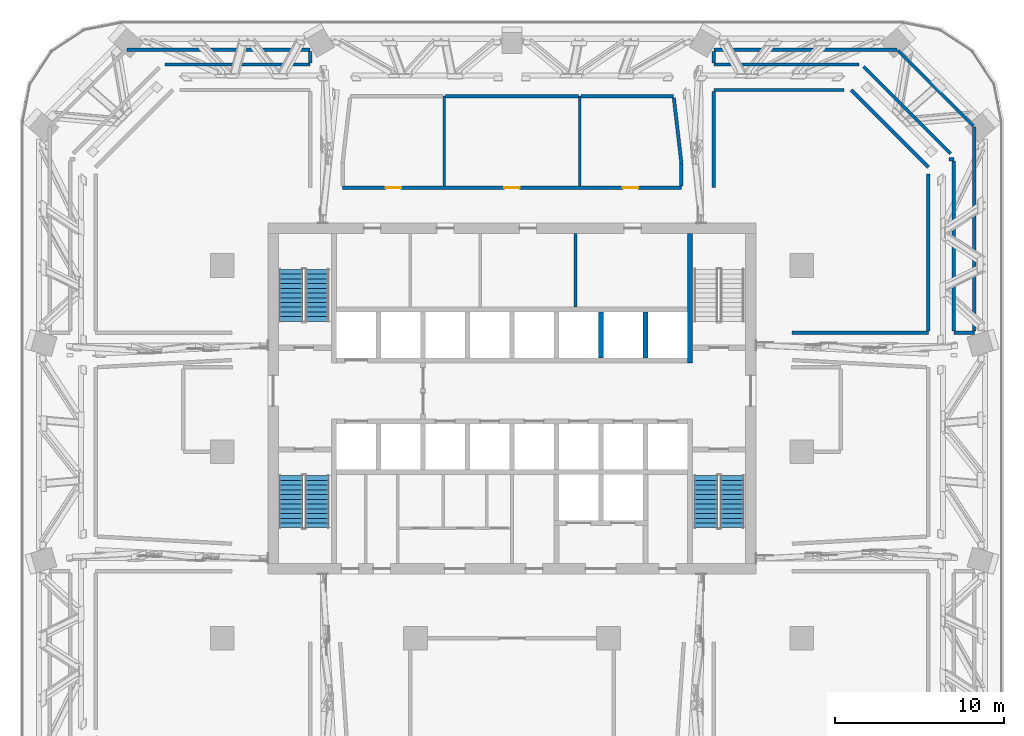
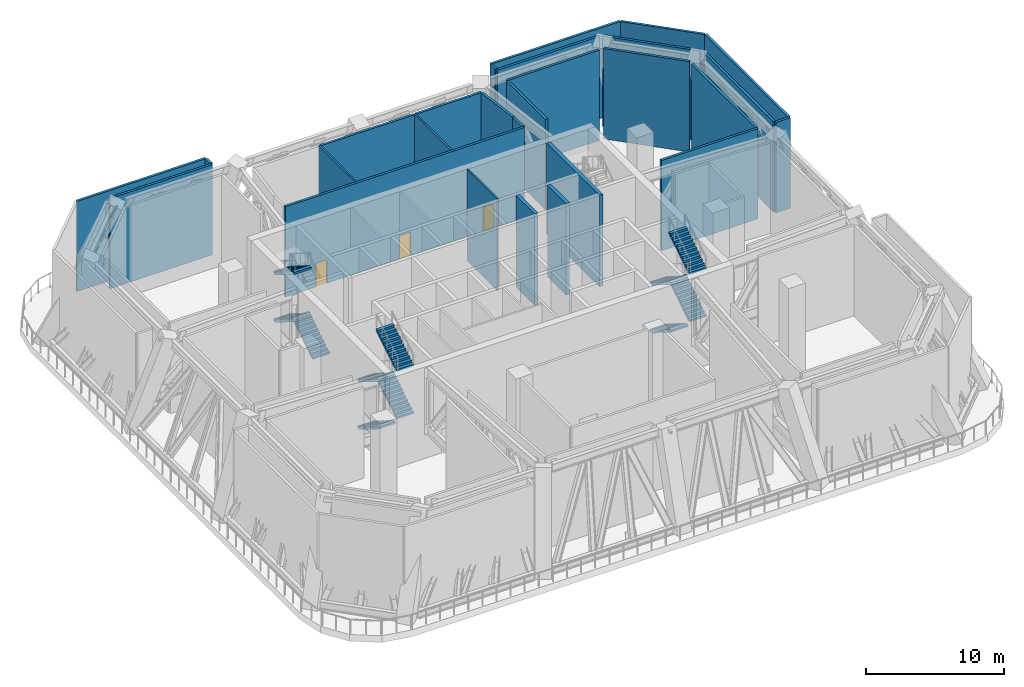
# One storey, part 8 of 24: 28 walls, 11 stair flights, 3 doors, 3 openings, 3 elements without a shape of their own.
"""IFC4 building model written with IfcOpenShell, lengths in metres."""

from ifc_helpers import new_model, si_unit, direction, frame, frame_2d, origin, place, context, subcontext, project, spatial, polyline, rectangle, outline, extrude, material, layer, layer_set, type_object, element, fill, aggregate, save


model = new_model("IFC4")

# Units and contexts
model_context = context("Model", 3, precision=1e-05, world=origin(), true_north=direction((0.0, 1.0)))
body_context = subcontext(model_context, "Body", "Model", "MODEL_VIEW")
ifc_project = project(units=[si_unit("LENGTHUNIT", "METRE"), si_unit("AREAUNIT", "SQUARE_METRE"), si_unit("VOLUMEUNIT", "CUBIC_METRE"), si_unit("PLANEANGLEUNIT", "RADIAN"), si_unit("MASSUNIT", "GRAM", prefix="KILO")], contexts=[model_context])

# Site, building, storey
site_placement = place(None, origin())
site = spatial("IfcSite", under=ifc_project, at=site_placement, CompositionType="ELEMENT")
building_placement = place(site_placement, origin())
building = spatial("IfcBuilding", under=site, at=building_placement, Name="Mopane Tessera Tower", CompositionType="ELEMENT")
storey_placement = place(building_placement, frame((0.0, 0.0, 148.60009765625)))
storey = spatial("IfcBuildingStorey", under=building, at=storey_placement, Name="L30", CompositionType="ELEMENT", Elevation=148.60009765625)

# Walls
ifc_material_1 = material(Name="Fire-rated gypsum board partition")
ifc_layer_1 = layer(ifc_material_1, 0.14990234375)
ifc_layer_set_1 = layer_set([ifc_layer_1], Name="Fire-rated gypsum board partition")
wall_type_1 = type_object("IfcWallType", Name="Core room partition 150 mm", PredefinedType="PARTITIONING", material=ifc_layer_set_1)
wall_1_placement = place(storey_placement, frame((3.75, 8.550048828125, 0.0), z_axis=(0.0, 0.0, 1.0), x_axis=(0.0, 1.0, 0.0)))
element("IfcWall", 1, at=wall_1_placement, inside=storey, type_object=wall_type_1, Name="L30 Room partition", PredefinedType="PARTITIONING", context=body_context, shape_type="SweptSolid", body=[
    extrude(rectangle(XDim=4.349853515625, YDim=0.14990234375, at=frame_2d((2.1748046875, 0.0))), origin(), (0.0, 0.0, 1.0), 8.099853515625),
])
ifc_material_2 = material(Name="Concrete C60/75", Category="concrete")
ifc_layer_2 = layer(ifc_material_2, 0.300048828125)
ifc_layer_set_2 = layer_set([ifc_layer_2], Name="Concrete C60/75")
wall_type_2 = type_object("IfcWallType", Name="Core spine wall 300 mm", PredefinedType="SHEAR", material=ifc_layer_set_2)
wall_2_placement = place(storey_placement, frame((10.5, 5.25, 0.0), z_axis=(0.0, 0.0, 1.0), x_axis=(0.0, 1.0, 0.0)))
element("IfcWall", 2, at=wall_2_placement, inside=storey, type_object=wall_type_2, Name="L30 Core spine wall", PredefinedType="SHEAR", context=body_context, shape_type="SweptSolid", body=[
    extrude(rectangle(XDim=7.64990234375, YDim=0.300048828125, at=frame_2d((3.824951171875, 0.0))), origin(), (0.0, 0.0, 1.0), 8.099853515625),
])
ifc_material_3 = material(Name="Gypsum board on steel studs, two layers each face, mineral wool infill", Category="steel")
ifc_layer_3 = layer(ifc_material_3, 0.199951171875)
ifc_layer_set_3 = layer_set([ifc_layer_3], Name="Gypsum board on steel studs, two layers each face, mineral wool infill")
wall_type_3 = type_object("IfcWallType", Name="Gypsum board corridor wall 200, rated EI 60", PredefinedType="PARTITIONING", material=ifc_layer_set_3)
wall_3_placement = place(storey_placement, frame((16.52001953125, 7.0400390625, 0.0), z_axis=(0.0, 0.0, 1.0), x_axis=(1.0, 0.0, 0.0)))
element("IfcWall", 3, at=wall_3_placement, inside=storey, type_object=wall_type_3, Name="Partition L30:022", PredefinedType="PARTITIONING", context=body_context, shape_type="SweptSolid", body=[
    extrude(rectangle(XDim=8.06494140625, YDim=0.199951171875, at=frame_2d((4.032470703125, 0.0))), origin(), (0.0, 0.0, 1.0), 8.0),
])
wall_4_placement = place(storey_placement, frame((26.0849609375, 7.0400390625, 0.0), z_axis=(0.0, 0.0, 1.0), x_axis=(1.0, 0.0, 0.0)))
element("IfcWall", 4, at=wall_4_placement, inside=storey, type_object=wall_type_3, Name="Partition L30:023", PredefinedType="PARTITIONING", context=body_context, shape_type="SweptSolid", body=[
    extrude(rectangle(XDim=1.215087890625, YDim=0.199951171875, at=frame_2d((0.607421875, 0.0))), origin(), (0.0, 0.0, 1.0), 8.0),
])

# Wall, openings, doors
wall_5_placement = place(storey_placement, frame((-10.0, 15.60009765625, 0.0), z_axis=(0.0, 0.0, 1.0), x_axis=(1.0, 0.0, 0.0)))
wall_5 = element("IfcWall", 5, at=wall_5_placement, inside=storey, type_object=wall_type_3, Name="Partition L30:024", PredefinedType="PARTITIONING", context=body_context, shape_type="SweptSolid", body=[
    extrude(rectangle(XDim=20.0, YDim=0.199951171875, at=frame_2d((10.0, 0.0))), origin(), (0.0, 0.0, 1.0), 8.0),
])
opening_1_placement = place(wall_5_placement, frame((9.550048828125, 0.0, 0.0)))
opening_1 = element("IfcOpeningElement", 6, at=opening_1_placement, cuts=wall_5, Name="Opening L30-01", PredefinedType="OPENING", context=body_context, shape_type="SweptSolid", body=[
    extrude(rectangle(XDim=0.89990234375, YDim=2.10009765625, at=frame_2d((0.449951171875, 1.050048828125))), frame((0.0, 0.112060546875, 0.0), z_axis=(0.0, -1.0, 0.0), x_axis=(1.0, 0.0, 0.0)), (0.0, 0.0, 1.0), 0.223876953125),
])
opening_2_placement = place(wall_5_placement, frame((2.550048828125, 0.0, 0.0)))
opening_2 = element("IfcOpeningElement", 7, at=opening_2_placement, cuts=wall_5, Name="Opening L30-03", PredefinedType="OPENING", context=body_context, shape_type="SweptSolid", body=[
    extrude(rectangle(XDim=0.89990234375, YDim=2.10009765625, at=frame_2d((0.449951171875, 1.050048828125))), frame((0.0, 0.112060546875, 0.0), z_axis=(0.0, -1.0, 0.0), x_axis=(1.0, 0.0, 0.0)), (0.0, 0.0, 1.0), 0.223876953125),
])
opening_3_placement = place(wall_5_placement, frame((16.550048828125, 0.0, 0.0)))
opening_3 = element("IfcOpeningElement", 8, at=opening_3_placement, cuts=wall_5, Name="Opening L30-04", PredefinedType="OPENING", context=body_context, shape_type="SweptSolid", body=[
    extrude(rectangle(XDim=0.89990234375, YDim=2.10009765625, at=frame_2d((0.449951171875, 1.050048828125))), frame((0.0, 0.112060546875, 0.0), z_axis=(0.0, -1.0, 0.0), x_axis=(1.0, 0.0, 0.0)), (0.0, 0.0, 1.0), 0.223876953125),
])
ifc_material_4 = material(Name="Timber veneered steel-framed fire door", Category="steel")
door_type = type_object("IfcDoorType", Name="Fire door FD60 900 x 2100", OperationType="SINGLE_SWING_LEFT", PredefinedType="DOOR", material=ifc_material_4)
door_1_placement = place(opening_1_placement, origin())
door_1 = element("IfcDoor", 9, at=door_1_placement, inside=storey, type_object=door_type, Name="Door L30-01", ObjectType="D10A", OperationType="SINGLE_SWING_RIGHT", OverallHeight=2.10009765625, OverallWidth=0.89990234375, PredefinedType="DOOR", context=body_context, shape_type="SweptSolid", body=[
    extrude(rectangle(XDim=0.89990234375, YDim=2.10009765625, at=frame_2d((0.449951171875, 1.050048828125))), frame((0.0, 0.02490234375, 0.0), z_axis=(0.0, -1.0, 0.0), x_axis=(1.0, 0.0, 0.0)), (0.0, 0.0, 1.0), 0.050048828125),
])
fill(opening_1, door_1)
door_2_placement = place(opening_2_placement, origin())
door_2 = element("IfcDoor", 10, at=door_2_placement, inside=storey, type_object=door_type, Name="Door L30-03", ObjectType="D10A", OperationType="SINGLE_SWING_RIGHT", OverallHeight=2.10009765625, OverallWidth=0.89990234375, PredefinedType="DOOR", context=body_context, shape_type="SweptSolid", body=[
    extrude(rectangle(XDim=0.89990234375, YDim=2.10009765625, at=frame_2d((0.449951171875, 1.050048828125))), frame((0.0, 0.02490234375, 0.0), z_axis=(0.0, -1.0, 0.0), x_axis=(1.0, 0.0, 0.0)), (0.0, 0.0, 1.0), 0.050048828125),
])
fill(opening_2, door_2)
door_3_placement = place(opening_3_placement, origin())
door_3 = element("IfcDoor", 11, at=door_3_placement, inside=storey, type_object=door_type, Name="Door L30-04", ObjectType="D10A", OperationType="SINGLE_SWING_LEFT", OverallHeight=2.10009765625, OverallWidth=0.89990234375, PredefinedType="DOOR", context=body_context, shape_type="SweptSolid", body=[
    extrude(rectangle(XDim=0.89990234375, YDim=2.10009765625, at=frame_2d((0.449951171875, 1.050048828125))), frame((0.0, 0.02490234375, 0.0), z_axis=(0.0, -1.0, 0.0), x_axis=(1.0, 0.0, 0.0)), (0.0, 0.0, 1.0), 0.050048828125),
])
fill(opening_3, door_3)

# Walls
wall_6_placement = place(storey_placement, frame((25.800048828125, 17.27001953125, 0.0), z_axis=(0.0, 0.0, 1.0), x_axis=(1.0, 0.0, 0.0)))
element("IfcWall", 12, at=wall_6_placement, inside=storey, type_object=wall_type_3, Name="Partition L30:026", PredefinedType="PARTITIONING", context=body_context, shape_type="SweptSolid", body=[
    extrude(rectangle(XDim=0.284912109375, YDim=0.199951171875, at=frame_2d((0.142578125, 0.0))), origin(), (0.0, 0.0, 1.0), 8.0),
])
wall_7_placement = place(storey_placement, frame((-3.925048828125, 21.0, 0.0), z_axis=(0.0, 0.0, 1.0), x_axis=(1.0, 0.0, 0.0)))
element("IfcWall", 13, at=wall_7_placement, inside=storey, type_object=wall_type_3, Name="Partition L30:028", PredefinedType="PARTITIONING", context=body_context, shape_type="SweptSolid", body=[
    extrude(rectangle(XDim=7.85009765625, YDim=0.199951171875, at=frame_2d((3.925048828125, 0.0))), origin(), (0.0, 0.0, 1.0), 8.0),
])
wall_8_placement = place(storey_placement, frame((4.074951171875, 21.0, 0.0), z_axis=(0.0, 0.0, 1.0), x_axis=(1.0, 0.0, 0.0)))
element("IfcWall", 14, at=wall_8_placement, inside=storey, type_object=wall_type_3, Name="Partition L30:029", PredefinedType="PARTITIONING", context=body_context, shape_type="SweptSolid", body=[
    extrude(rectangle(XDim=5.469970703125, YDim=0.199951171875, at=frame_2d((2.73486328125, 0.0))), origin(), (0.0, 0.0, 1.0), 8.0),
])
wall_9_placement = place(storey_placement, frame((11.919921875, 21.3701171875, 0.0), z_axis=(0.0, 0.0, 1.0), x_axis=(1.0, 0.0, 0.0)))
element("IfcWall", 15, at=wall_9_placement, inside=storey, type_object=wall_type_3, Name="Partition L30:031", PredefinedType="PARTITIONING", context=body_context, shape_type="SweptSolid", body=[
    extrude(rectangle(XDim=7.68017578125, YDim=0.199951171875, at=frame_2d((3.840087890625, 0.0))), origin(), (0.0, 0.0, 1.0), 8.0),
])
for number, where, z_axis, x_axis, name in (
    (16, (-20.485107421875, 22.8701171875, 0.0), (0.0, 0.0, 1.0), (1.0, 0.0, 0.0), "Partition L30:032"),
    (17, (11.919921875, 22.8701171875, 0.0), (0.0, 0.0, 1.0), (1.0, 0.0, 0.0), "Partition L30:033"),
):
    element("IfcWall", number, at=place(storey_placement, frame(where, z_axis=z_axis, x_axis=x_axis)), inside=storey, type_object=wall_type_3, Name=name, PredefinedType="PARTITIONING", context=body_context, shape_type="SweptSolid", body=[
        extrude(rectangle(XDim=8.565185546875, YDim=0.199951171875, at=frame_2d((4.28271484375, 0.0))), origin(), (0.0, 0.0, 1.0), 8.0),
    ])
for number, where, z_axis, x_axis, name in (
    (18, (-22.739990234375, 23.75, 0.0), (0.0, 0.0, 1.0), (1.0, 0.0, 0.0), "Partition L30:034"),
    (19, (11.919921875, 23.75, 0.0), (0.0, 0.0, 1.0), (1.0, 0.0, 0.0), "Partition L30:035"),
):
    element("IfcWall", number, at=place(storey_placement, frame(where, z_axis=z_axis, x_axis=x_axis)), inside=storey, type_object=wall_type_3, Name=name, PredefinedType="PARTITIONING", context=body_context, shape_type="SweptSolid", body=[
        extrude(rectangle(XDim=10.820068359375, YDim=0.199951171875, at=frame_2d((5.41015625, 0.0))), origin(), (0.0, 0.0, 1.0), 8.0),
    ])
wall_10_placement = place(storey_placement, frame((-11.919921875, 22.969970703125, 0.0), z_axis=(0.0, 0.0, 1.0), x_axis=(0.0, 1.0, 0.0)))
element("IfcWall", 20, at=wall_10_placement, inside=storey, type_object=wall_type_3, Name="Partition L30:047", PredefinedType="PARTITIONING", context=body_context, shape_type="SweptSolid", body=[
    extrude(rectangle(XDim=0.679931640625, YDim=0.199951171875, at=frame_2d((0.33984375, 0.0))), origin(), (0.0, 0.0, 1.0), 8.0),
])
wall_11_placement = place(storey_placement, frame((10.0, 15.699951171875, 0.0), z_axis=(0.0, 0.0, 1.0), x_axis=(0.0, 1.0, 0.0)))
element("IfcWall", 21, at=wall_11_placement, inside=storey, type_object=wall_type_3, Name="Partition L30:053", PredefinedType="PARTITIONING", context=body_context, shape_type="SweptSolid", body=[
    extrude(rectangle(XDim=1.364990234375, YDim=0.199951171875, at=frame_2d((0.6826171875, 0.0))), origin(), (0.0, 0.0, 1.0), 8.0),
])
wall_12_placement = place(storey_placement, frame((11.919921875, 15.6201171875, 0.0), z_axis=(0.0, 0.0, 1.0), x_axis=(0.0, 1.0, 0.0)))
element("IfcWall", 22, at=wall_12_placement, inside=storey, type_object=wall_type_3, Name="Partition L30:056", PredefinedType="PARTITIONING", context=body_context, shape_type="SweptSolid", body=[
    extrude(rectangle(XDim=5.64990234375, YDim=0.199951171875, at=frame_2d((2.824951171875, 0.0))), origin(), (0.0, 0.0, 1.0), 8.0),
])
wall_13_placement = place(storey_placement, frame((11.919921875, 22.969970703125, 0.0), z_axis=(0.0, 0.0, 1.0), x_axis=(0.0, 1.0, 0.0)))
element("IfcWall", 23, at=wall_13_placement, inside=storey, type_object=wall_type_3, Name="Partition L30:057", PredefinedType="PARTITIONING", context=body_context, shape_type="SweptSolid", body=[
    extrude(rectangle(XDim=0.679931640625, YDim=0.199951171875, at=frame_2d((0.33984375, 0.0))), origin(), (0.0, 0.0, 1.0), 8.0),
])
wall_14_placement = place(storey_placement, frame((24.5849609375, 7.139892578125, 0.0), z_axis=(0.0, 0.0, 1.0), x_axis=(0.0, 1.0, 0.0)))
element("IfcWall", 24, at=wall_14_placement, inside=storey, type_object=wall_type_3, Name="Partition L30:061", PredefinedType="PARTITIONING", context=body_context, shape_type="SweptSolid", body=[
    extrude(rectangle(XDim=9.260009765625, YDim=0.199951171875, at=frame_2d((4.6298828125, 0.0))), origin(), (0.0, 0.0, 1.0), 8.0),
])
wall_15_placement = place(storey_placement, frame((26.0849609375, 7.139892578125, 0.0), z_axis=(0.0, 0.0, 1.0), x_axis=(0.0, 1.0, 0.0)))
element("IfcWall", 25, at=wall_15_placement, inside=storey, type_object=wall_type_3, Name="Partition L30:063", PredefinedType="PARTITIONING", context=body_context, shape_type="SweptSolid", body=[
    extrude(rectangle(XDim=10.030029296875, YDim=0.199951171875, at=frame_2d((5.01513671875, 0.0))), origin(), (0.0, 0.0, 1.0), 8.0),
])
wall_16_placement = place(storey_placement, frame((27.300048828125, 7.139892578125, 0.0), z_axis=(0.0, 0.0, 1.0), x_axis=(0.0, 1.0, 0.0)))
element("IfcWall", 26, at=wall_16_placement, inside=storey, type_object=wall_type_3, Name="Partition L30:065", PredefinedType="PARTITIONING", context=body_context, shape_type="SweptSolid", body=[
    extrude(rectangle(XDim=12.050048828125, YDim=0.199951171875, at=frame_2d((6.02490234375, 0.0))), origin(), (0.0, 0.0, 1.0), 8.0),
])
wall_17_placement = place(storey_placement, frame((25.89892578125, 17.615966796875, 0.0), z_axis=(0.0, 0.0, 1.0), x_axis=(-0.707106781187, 0.707106781187, 0.0)))
element("IfcWall", 27, at=wall_17_placement, inside=storey, type_object=wall_type_3, Name="Partition L30:079", PredefinedType="PARTITIONING", context=body_context, shape_type="SweptSolid", body=[
    extrude(rectangle(XDim=7.267578125, YDim=0.199951171875, at=frame_2d((3.6337890625, 0.0))), origin(), (0.0, 0.0, 1.0), 8.0),
])
wall_18_placement = place(storey_placement, frame((22.7890625, 23.700927734375, 0.0), z_axis=(0.0, 0.0, 1.0), x_axis=(0.707106781187, -0.707106781187, 0.0)))
element("IfcWall", 28, at=wall_18_placement, inside=storey, type_object=wall_type_3, Name="Partition L30:081", PredefinedType="PARTITIONING", context=body_context, shape_type="SweptSolid", body=[
    extrude(rectangle(XDim=6.31005859375, YDim=0.199951171875, at=frame_2d((3.155029296875, 0.0))), origin(), (0.0, 0.0, 1.0), 8.0),
])
wall_19_placement = place(storey_placement, frame((20.02490234375, 21.3701171875, 0.0), z_axis=(0.0, 0.0, 1.0), x_axis=(0.707106781187, -0.707106781187, 0.0)))
element("IfcWall", 29, at=wall_19_placement, inside=storey, type_object=wall_type_3, Name="Partition L30:089", PredefinedType="PARTITIONING", context=body_context, shape_type="SweptSolid", body=[
    extrude(rectangle(XDim=6.448974609375, YDim=0.199951171875, at=frame_2d((3.224609375, 0.0))), origin(), (0.0, 0.0, 1.0), 8.0),
])
wall_20_placement = place(storey_placement, frame((9.555908203125, 20.90087890625, 0.0), z_axis=(0.0, 0.0, 1.0), x_axis=(0.115049956494, -0.99335970701, 0.0)))
element("IfcWall", 30, at=wall_20_placement, inside=storey, type_object=wall_type_3, Name="Partition L30:093", PredefinedType="PARTITIONING", context=body_context, shape_type="SweptSolid", body=[
    extrude(rectangle(XDim=3.8515625, YDim=0.199951171875, at=frame_2d((1.92578125, 0.0))), origin(), (0.0, 0.0, 1.0), 8.0),
])
ifc_material_5 = material(Name="Gypsum board on steel studs, mineral wool infill", Category="steel")
ifc_layer_4 = layer(ifc_material_5, 0.14990234375)
ifc_layer_set_4 = layer_set([ifc_layer_4], Name="Gypsum board on steel studs, mineral wool infill")
wall_type_4 = type_object("IfcWallType", Name="Gypsum board partition 150, rated EI 60", PredefinedType="PARTITIONING", material=ifc_layer_set_4)
for number, where, z_axis, x_axis, name in (
    (31, (-4.0, 15.699951171875, 0.0), (0.0, 0.0, 1.0), (0.0, 1.0, 0.0), "Partition L30:050"),
    (32, (4.0, 15.699951171875, 0.0), (0.0, 0.0, 1.0), (0.0, 1.0, 0.0), "Partition L30:051"),
):
    element("IfcWall", number, at=place(storey_placement, frame(where, z_axis=z_axis, x_axis=x_axis)), inside=storey, type_object=wall_type_4, Name=name, PredefinedType="PARTITIONING", context=body_context, shape_type="SweptSolid", body=[
        extrude(rectangle(XDim=5.300048828125, YDim=0.14990234375, at=frame_2d((2.64990234375, 0.0))), origin(), (0.0, 0.0, 1.0), 8.0),
    ])
ifc_material_6 = material(Name="Concrete C50/60", Category="concrete")
ifc_layer_5 = layer(ifc_material_6, 0.300048828125)
ifc_layer_set_5 = layer_set([ifc_layer_5], Name="Concrete C50/60")
wall_type_5 = type_object("IfcWallType", Name="Lift and stair shaft wall 300 mm", PredefinedType="SOLIDWALL", material=ifc_layer_set_5)
for number, where, z_axis, x_axis, name in (
    (33, (5.25, 5.550048828125, 0.0), (0.0, 0.0, 1.0), (0.0, 1.0, 0.0), "L30 Lift shaft wall"),
    (34, (7.875, 5.550048828125, 0.0), (0.0, 0.0, 1.0), (0.0, 1.0, 0.0), "L30 Lift shaft wall"),
):
    element("IfcWall", number, at=place(storey_placement, frame(where, z_axis=z_axis, x_axis=x_axis)), inside=storey, type_object=wall_type_5, Name=name, PredefinedType="SOLIDWALL", context=body_context, shape_type="SweptSolid", body=[
        extrude(rectangle(XDim=2.699951171875, YDim=0.300048828125, at=frame_2d((1.35009765625, 0.0))), origin(), (0.0, 0.0, 1.0), 8.099853515625),
    ])

# Stair, stair flights
ifc_material_7 = material(Name="Concrete C50/60", Category="concrete")
stair_type = type_object("IfcStairType", Name="Escape stair 1400 mm, riser 175 mm", PredefinedType="HALF_TURN_STAIR", material=ifc_material_7)
stair_1_placement = place(storey_placement, origin())
stair_1 = element("IfcStair", 35, at=stair_1_placement, inside=storey, type_object=stair_type, Name="L30 Escape stair south-west", PredefinedType="HALF_TURN_STAIR")
ifc_material_8 = material(Name="Concrete C50/60", Category="concrete")
stair_flight_type = type_object("IfcStairFlightType", Name="Escape stair flight 1400 mm", PredefinedType="STRAIGHT", material=ifc_material_8)
stair_flight_1_placement = place(storey_placement, frame((-13.050048828125, -1.39990234375, 0.0), z_axis=(0.0, 0.0, 1.0), x_axis=(0.0, -1.0, 0.0)))
stair_flight_1 = element("IfcStairFlight", 36, at=stair_flight_1_placement, type_object=stair_flight_type, Name="ST1 flight 1", NumberOfRisers=12, NumberOfTreads=11, PredefinedType="STRAIGHT", RiserHeight=0.175, TreadLength=0.28, context=body_context, shape_type="SweptSolid", body=[
    extrude(outline(polyline([(0.0, 0.0), (0.0, 0.175048828125), (0.280029296875, 0.175048828125), (0.280029296875, 0.35009765625), (0.56005859375, 0.35009765625), (0.56005859375, 0.52490234375), (0.840087890625, 0.52490234375), (0.840087890625, 0.699951171875), (1.1201171875, 0.699951171875), (1.1201171875, 0.875), (1.39990234375, 0.875), (1.39990234375, 1.050048828125), (1.679931640625, 1.050048828125), (1.679931640625, 1.22509765625), (1.9599609375, 1.22509765625), (1.9599609375, 1.39990234375), (2.239990234375, 1.39990234375), (2.239990234375, 1.574951171875), (2.52001953125, 1.574951171875), (2.52001953125, 1.75), (2.800048828125, 1.75), (2.800048828125, 1.925048828125), (3.080078125, 1.925048828125), (3.080078125, 2.10009765625), (3.080078125, 1.748291015625), (0.28271484375, 0.0), (0.0, 0.0)])), frame((0.0, 0.699951171875, 0.0), z_axis=(0.0, -1.0, 0.0), x_axis=(1.0, 0.0, 0.0)), (0.0, 0.0, 1.0), 1.39990234375),
])
stair_flight_2_placement = place(storey_placement, frame((-11.5, -4.47998046875, 2.099853515625), z_axis=(0.0, 0.0, 1.0), x_axis=(0.0, 1.0, 0.0)))
stair_flight_2 = element("IfcStairFlight", 37, at=stair_flight_2_placement, type_object=stair_flight_type, Name="ST1 flight 2", NumberOfRisers=12, NumberOfTreads=11, PredefinedType="STRAIGHT", RiserHeight=0.175, TreadLength=0.28, context=body_context, shape_type="SweptSolid", body=[
    extrude(outline(polyline([(0.0, 0.0), (0.0, 0.175048828125), (0.280029296875, 0.175048828125), (0.280029296875, 0.35009765625), (0.56005859375, 0.35009765625), (0.56005859375, 0.52490234375), (0.840087890625, 0.52490234375), (0.840087890625, 0.699951171875), (1.1201171875, 0.699951171875), (1.1201171875, 0.875), (1.39990234375, 0.875), (1.39990234375, 1.050048828125), (1.679931640625, 1.050048828125), (1.679931640625, 1.22509765625), (1.9599609375, 1.22509765625), (1.9599609375, 1.39990234375), (2.239990234375, 1.39990234375), (2.239990234375, 1.574951171875), (2.52001953125, 1.574951171875), (2.52001953125, 1.75), (2.800048828125, 1.75), (2.800048828125, 1.925048828125), (3.080078125, 1.925048828125), (3.080078125, 2.10009765625), (3.080078125, 1.748291015625), (0.28271484375, 0.0), (0.0, 0.0)])), frame((0.0, 0.699951171875, 0.0), z_axis=(0.0, -1.0, 0.0), x_axis=(1.0, 0.0, 0.0)), (0.0, 0.0, 1.0), 1.39990234375),
])
stair_flight_3_placement = place(storey_placement, frame((-13.050048828125, -1.39990234375, 4.199951171875), z_axis=(0.0, 0.0, 1.0), x_axis=(0.0, -1.0, 0.0)))
stair_flight_3 = element("IfcStairFlight", 38, at=stair_flight_3_placement, type_object=stair_flight_type, Name="ST1 flight 3", NumberOfRisers=12, NumberOfTreads=11, PredefinedType="STRAIGHT", RiserHeight=0.175, TreadLength=0.28, context=body_context, shape_type="SweptSolid", body=[
    extrude(outline(polyline([(0.0, 0.0), (0.0, 0.175048828125), (0.280029296875, 0.175048828125), (0.280029296875, 0.35009765625), (0.56005859375, 0.35009765625), (0.56005859375, 0.52490234375), (0.840087890625, 0.52490234375), (0.840087890625, 0.699951171875), (1.1201171875, 0.699951171875), (1.1201171875, 0.875), (1.39990234375, 0.875), (1.39990234375, 1.050048828125), (1.679931640625, 1.050048828125), (1.679931640625, 1.22509765625), (1.9599609375, 1.22509765625), (1.9599609375, 1.39990234375), (2.239990234375, 1.39990234375), (2.239990234375, 1.574951171875), (2.52001953125, 1.574951171875), (2.52001953125, 1.75), (2.800048828125, 1.75), (2.800048828125, 1.925048828125), (3.080078125, 1.925048828125), (3.080078125, 2.10009765625), (3.080078125, 1.748291015625), (0.28271484375, 0.0), (0.0, 0.0)])), frame((0.0, 0.699951171875, 0.0), z_axis=(0.0, -1.0, 0.0), x_axis=(1.0, 0.0, 0.0)), (0.0, 0.0, 1.0), 1.39990234375),
])
stair_flight_4_placement = place(storey_placement, frame((-11.5, -4.47998046875, 6.2998046875), z_axis=(0.0, 0.0, 1.0), x_axis=(0.0, 1.0, 0.0)))
stair_flight_4 = element("IfcStairFlight", 39, at=stair_flight_4_placement, type_object=stair_flight_type, Name="ST1 flight 4", NumberOfRisers=12, NumberOfTreads=11, PredefinedType="STRAIGHT", RiserHeight=0.175, TreadLength=0.28, context=body_context, shape_type="SweptSolid", body=[
    extrude(outline(polyline([(0.0, 0.0), (0.0, 0.175048828125), (0.280029296875, 0.175048828125), (0.280029296875, 0.35009765625), (0.56005859375, 0.35009765625), (0.56005859375, 0.52490234375), (0.840087890625, 0.52490234375), (0.840087890625, 0.699951171875), (1.1201171875, 0.699951171875), (1.1201171875, 0.875), (1.39990234375, 0.875), (1.39990234375, 1.050048828125), (1.679931640625, 1.050048828125), (1.679931640625, 1.22509765625), (1.9599609375, 1.22509765625), (1.9599609375, 1.39990234375), (2.239990234375, 1.39990234375), (2.239990234375, 1.574951171875), (2.52001953125, 1.574951171875), (2.52001953125, 1.75), (2.800048828125, 1.75), (2.800048828125, 1.925048828125), (3.080078125, 1.925048828125), (3.080078125, 2.10009765625), (3.080078125, 1.748291015625), (0.28271484375, 0.0), (0.0, 0.0)])), frame((0.0, 0.699951171875, 0.0), z_axis=(0.0, -1.0, 0.0), x_axis=(1.0, 0.0, 0.0)), (0.0, 0.0, 1.0), 1.39990234375),
])
aggregate(stair_1, [stair_flight_1, stair_flight_2, stair_flight_3, stair_flight_4])

stair_2_placement = place(storey_placement, origin())
stair_2 = element("IfcStair", 40, at=stair_2_placement, inside=storey, type_object=stair_type, Name="L30 Escape stair north-west", PredefinedType="HALF_TURN_STAIR")
stair_flight_5_placement = place(storey_placement, frame((-11.5, 7.699951171875, 0.0), z_axis=(0.0, 0.0, 1.0), x_axis=(0.0, 1.0, 0.0)))
stair_flight_5 = element("IfcStairFlight", 41, at=stair_flight_5_placement, type_object=stair_flight_type, Name="ST2 flight 1", NumberOfRisers=12, NumberOfTreads=11, PredefinedType="STRAIGHT", RiserHeight=0.175, TreadLength=0.28, context=body_context, shape_type="SweptSolid", body=[
    extrude(outline(polyline([(0.0, 0.0), (0.0, 0.175048828125), (0.280029296875, 0.175048828125), (0.280029296875, 0.35009765625), (0.56005859375, 0.35009765625), (0.56005859375, 0.52490234375), (0.840087890625, 0.52490234375), (0.840087890625, 0.699951171875), (1.1201171875, 0.699951171875), (1.1201171875, 0.875), (1.39990234375, 0.875), (1.39990234375, 1.050048828125), (1.679931640625, 1.050048828125), (1.679931640625, 1.22509765625), (1.9599609375, 1.22509765625), (1.9599609375, 1.39990234375), (2.239990234375, 1.39990234375), (2.239990234375, 1.574951171875), (2.52001953125, 1.574951171875), (2.52001953125, 1.75), (2.800048828125, 1.75), (2.800048828125, 1.925048828125), (3.080078125, 1.925048828125), (3.080078125, 2.10009765625), (3.080078125, 1.748291015625), (0.28271484375, 0.0), (0.0, 0.0)])), frame((0.0, 0.699951171875, 0.0), z_axis=(0.0, -1.0, 0.0), x_axis=(1.0, 0.0, 0.0)), (0.0, 0.0, 1.0), 1.39990234375),
])
stair_flight_6_placement = place(storey_placement, frame((-13.050048828125, 10.780029296875, 2.099853515625), z_axis=(0.0, 0.0, 1.0), x_axis=(0.0, -1.0, 0.0)))
stair_flight_6 = element("IfcStairFlight", 42, at=stair_flight_6_placement, type_object=stair_flight_type, Name="ST2 flight 2", NumberOfRisers=12, NumberOfTreads=11, PredefinedType="STRAIGHT", RiserHeight=0.175, TreadLength=0.28, context=body_context, shape_type="SweptSolid", body=[
    extrude(outline(polyline([(0.0, 0.0), (0.0, 0.175048828125), (0.280029296875, 0.175048828125), (0.280029296875, 0.35009765625), (0.56005859375, 0.35009765625), (0.56005859375, 0.52490234375), (0.840087890625, 0.52490234375), (0.840087890625, 0.699951171875), (1.1201171875, 0.699951171875), (1.1201171875, 0.875), (1.39990234375, 0.875), (1.39990234375, 1.050048828125), (1.679931640625, 1.050048828125), (1.679931640625, 1.22509765625), (1.9599609375, 1.22509765625), (1.9599609375, 1.39990234375), (2.239990234375, 1.39990234375), (2.239990234375, 1.574951171875), (2.52001953125, 1.574951171875), (2.52001953125, 1.75), (2.800048828125, 1.75), (2.800048828125, 1.925048828125), (3.080078125, 1.925048828125), (3.080078125, 2.10009765625), (3.080078125, 1.748291015625), (0.28271484375, 0.0), (0.0, 0.0)])), frame((0.0, 0.699951171875, 0.0), z_axis=(0.0, -1.0, 0.0), x_axis=(1.0, 0.0, 0.0)), (0.0, 0.0, 1.0), 1.39990234375),
])
stair_flight_7_placement = place(storey_placement, frame((-13.050048828125, 10.780029296875, 6.2998046875), z_axis=(0.0, 0.0, 1.0), x_axis=(0.0, -1.0, 0.0)))
stair_flight_7 = element("IfcStairFlight", 43, at=stair_flight_7_placement, type_object=stair_flight_type, Name="ST2 flight 4", NumberOfRisers=12, NumberOfTreads=11, PredefinedType="STRAIGHT", RiserHeight=0.175, TreadLength=0.28, context=body_context, shape_type="SweptSolid", body=[
    extrude(outline(polyline([(0.0, 0.0), (0.0, 0.175048828125), (0.280029296875, 0.175048828125), (0.280029296875, 0.35009765625), (0.56005859375, 0.35009765625), (0.56005859375, 0.52490234375), (0.840087890625, 0.52490234375), (0.840087890625, 0.699951171875), (1.1201171875, 0.699951171875), (1.1201171875, 0.875), (1.39990234375, 0.875), (1.39990234375, 1.050048828125), (1.679931640625, 1.050048828125), (1.679931640625, 1.22509765625), (1.9599609375, 1.22509765625), (1.9599609375, 1.39990234375), (2.239990234375, 1.39990234375), (2.239990234375, 1.574951171875), (2.52001953125, 1.574951171875), (2.52001953125, 1.75), (2.800048828125, 1.75), (2.800048828125, 1.925048828125), (3.080078125, 1.925048828125), (3.080078125, 2.10009765625), (3.080078125, 1.748291015625), (0.28271484375, 0.0), (0.0, 0.0)])), frame((0.0, 0.699951171875, 0.0), z_axis=(0.0, -1.0, 0.0), x_axis=(1.0, 0.0, 0.0)), (0.0, 0.0, 1.0), 1.39990234375),
])
aggregate(stair_2, [stair_flight_5, stair_flight_6, stair_flight_7])

stair_3_placement = place(storey_placement, origin())
stair_3 = element("IfcStair", 44, at=stair_3_placement, inside=storey, type_object=stair_type, Name="L30 Escape stair south-east", PredefinedType="HALF_TURN_STAIR")
stair_flight_8_placement = place(storey_placement, frame((11.449951171875, -1.39990234375, 0.0), z_axis=(0.0, 0.0, 1.0), x_axis=(0.0, -1.0, 0.0)))
stair_flight_8 = element("IfcStairFlight", 45, at=stair_flight_8_placement, type_object=stair_flight_type, Name="ST3 flight 1", NumberOfRisers=12, NumberOfTreads=11, PredefinedType="STRAIGHT", RiserHeight=0.175, TreadLength=0.28, context=body_context, shape_type="SweptSolid", body=[
    extrude(outline(polyline([(0.0, 0.0), (0.0, 0.175048828125), (0.280029296875, 0.175048828125), (0.280029296875, 0.35009765625), (0.56005859375, 0.35009765625), (0.56005859375, 0.52490234375), (0.840087890625, 0.52490234375), (0.840087890625, 0.699951171875), (1.1201171875, 0.699951171875), (1.1201171875, 0.875), (1.39990234375, 0.875), (1.39990234375, 1.050048828125), (1.679931640625, 1.050048828125), (1.679931640625, 1.22509765625), (1.9599609375, 1.22509765625), (1.9599609375, 1.39990234375), (2.239990234375, 1.39990234375), (2.239990234375, 1.574951171875), (2.52001953125, 1.574951171875), (2.52001953125, 1.75), (2.800048828125, 1.75), (2.800048828125, 1.925048828125), (3.080078125, 1.925048828125), (3.080078125, 2.10009765625), (3.080078125, 1.748291015625), (0.28271484375, 0.0), (0.0, 0.0)])), frame((0.0, 0.699951171875, 0.0), z_axis=(0.0, -1.0, 0.0), x_axis=(1.0, 0.0, 0.0)), (0.0, 0.0, 1.0), 1.39990234375),
])
stair_flight_9_placement = place(storey_placement, frame((13.0, -4.47998046875, 2.099853515625), z_axis=(0.0, 0.0, 1.0), x_axis=(0.0, 1.0, 0.0)))
stair_flight_9 = element("IfcStairFlight", 46, at=stair_flight_9_placement, type_object=stair_flight_type, Name="ST3 flight 2", NumberOfRisers=12, NumberOfTreads=11, PredefinedType="STRAIGHT", RiserHeight=0.175, TreadLength=0.28, context=body_context, shape_type="SweptSolid", body=[
    extrude(outline(polyline([(0.0, 0.0), (0.0, 0.175048828125), (0.280029296875, 0.175048828125), (0.280029296875, 0.35009765625), (0.56005859375, 0.35009765625), (0.56005859375, 0.52490234375), (0.840087890625, 0.52490234375), (0.840087890625, 0.699951171875), (1.1201171875, 0.699951171875), (1.1201171875, 0.875), (1.39990234375, 0.875), (1.39990234375, 1.050048828125), (1.679931640625, 1.050048828125), (1.679931640625, 1.22509765625), (1.9599609375, 1.22509765625), (1.9599609375, 1.39990234375), (2.239990234375, 1.39990234375), (2.239990234375, 1.574951171875), (2.52001953125, 1.574951171875), (2.52001953125, 1.75), (2.800048828125, 1.75), (2.800048828125, 1.925048828125), (3.080078125, 1.925048828125), (3.080078125, 2.10009765625), (3.080078125, 1.748291015625), (0.28271484375, 0.0), (0.0, 0.0)])), frame((0.0, 0.699951171875, 0.0), z_axis=(0.0, -1.0, 0.0), x_axis=(1.0, 0.0, 0.0)), (0.0, 0.0, 1.0), 1.39990234375),
])
stair_flight_10_placement = place(storey_placement, frame((11.449951171875, -1.39990234375, 4.199951171875), z_axis=(0.0, 0.0, 1.0), x_axis=(0.0, -1.0, 0.0)))
stair_flight_10 = element("IfcStairFlight", 47, at=stair_flight_10_placement, type_object=stair_flight_type, Name="ST3 flight 3", NumberOfRisers=12, NumberOfTreads=11, PredefinedType="STRAIGHT", RiserHeight=0.175, TreadLength=0.28, context=body_context, shape_type="SweptSolid", body=[
    extrude(outline(polyline([(0.0, 0.0), (0.0, 0.175048828125), (0.280029296875, 0.175048828125), (0.280029296875, 0.35009765625), (0.56005859375, 0.35009765625), (0.56005859375, 0.52490234375), (0.840087890625, 0.52490234375), (0.840087890625, 0.699951171875), (1.1201171875, 0.699951171875), (1.1201171875, 0.875), (1.39990234375, 0.875), (1.39990234375, 1.050048828125), (1.679931640625, 1.050048828125), (1.679931640625, 1.22509765625), (1.9599609375, 1.22509765625), (1.9599609375, 1.39990234375), (2.239990234375, 1.39990234375), (2.239990234375, 1.574951171875), (2.52001953125, 1.574951171875), (2.52001953125, 1.75), (2.800048828125, 1.75), (2.800048828125, 1.925048828125), (3.080078125, 1.925048828125), (3.080078125, 2.10009765625), (3.080078125, 1.748291015625), (0.28271484375, 0.0), (0.0, 0.0)])), frame((0.0, 0.699951171875, 0.0), z_axis=(0.0, -1.0, 0.0), x_axis=(1.0, 0.0, 0.0)), (0.0, 0.0, 1.0), 1.39990234375),
])
stair_flight_11_placement = place(storey_placement, frame((13.0, -4.47998046875, 6.2998046875), z_axis=(0.0, 0.0, 1.0), x_axis=(0.0, 1.0, 0.0)))
stair_flight_11 = element("IfcStairFlight", 48, at=stair_flight_11_placement, type_object=stair_flight_type, Name="ST3 flight 4", NumberOfRisers=12, NumberOfTreads=11, PredefinedType="STRAIGHT", RiserHeight=0.175, TreadLength=0.28, context=body_context, shape_type="SweptSolid", body=[
    extrude(outline(polyline([(0.0, 0.0), (0.0, 0.175048828125), (0.280029296875, 0.175048828125), (0.280029296875, 0.35009765625), (0.56005859375, 0.35009765625), (0.56005859375, 0.52490234375), (0.840087890625, 0.52490234375), (0.840087890625, 0.699951171875), (1.1201171875, 0.699951171875), (1.1201171875, 0.875), (1.39990234375, 0.875), (1.39990234375, 1.050048828125), (1.679931640625, 1.050048828125), (1.679931640625, 1.22509765625), (1.9599609375, 1.22509765625), (1.9599609375, 1.39990234375), (2.239990234375, 1.39990234375), (2.239990234375, 1.574951171875), (2.52001953125, 1.574951171875), (2.52001953125, 1.75), (2.800048828125, 1.75), (2.800048828125, 1.925048828125), (3.080078125, 1.925048828125), (3.080078125, 2.10009765625), (3.080078125, 1.748291015625), (0.28271484375, 0.0), (0.0, 0.0)])), frame((0.0, 0.699951171875, 0.0), z_axis=(0.0, -1.0, 0.0), x_axis=(1.0, 0.0, 0.0)), (0.0, 0.0, 1.0), 1.39990234375),
])
aggregate(stair_3, [stair_flight_8, stair_flight_9, stair_flight_10, stair_flight_11])

save(model, "model.ifc")
